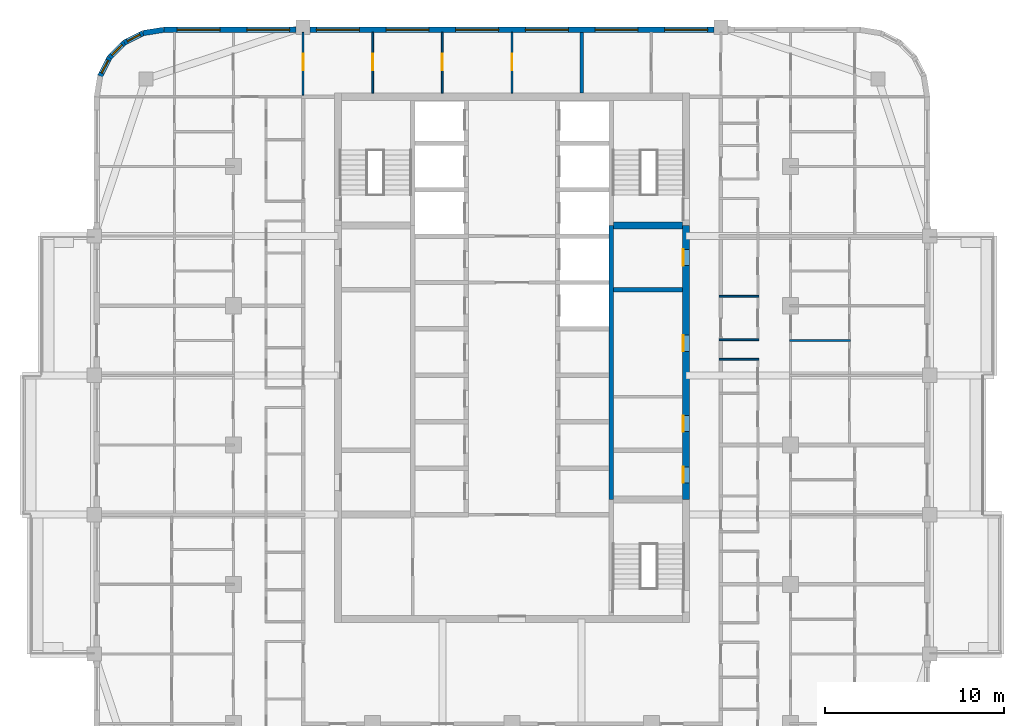
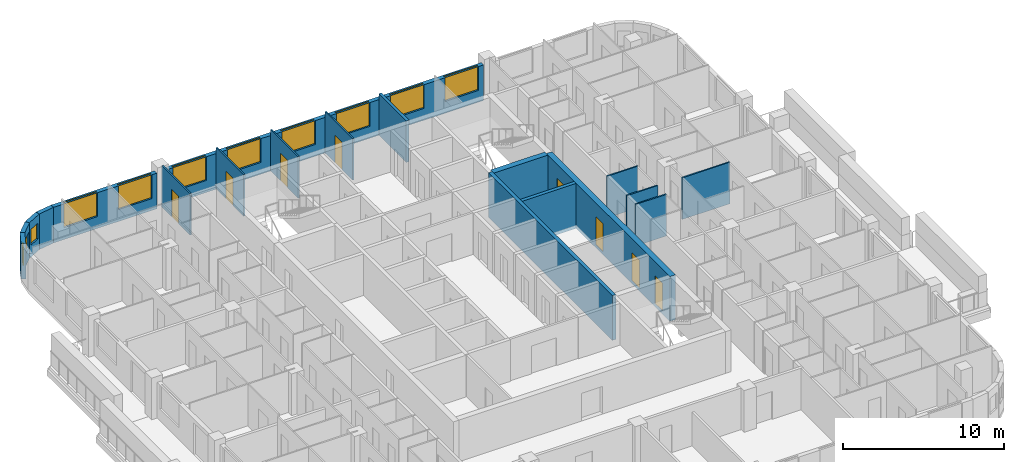
# One storey, part 10 of 17: 19 walls, 11 windows, 8 doors, 19 openings.
"""IFC4 building model written with IfcOpenShell, lengths in metres."""

from ifc_helpers import new_model, si_unit, direction, frame, frame_2d, origin, place, context, subcontext, project, spatial, rectangle, extrude, material, layer, layer_set, type_object, element, fill, save


model = new_model("IFC4")

# Units and contexts
model_context = context("Model", 3, precision=1e-05, world=origin(), true_north=direction((0.0, 1.0)))
body_context = subcontext(model_context, "Body", "Model", "MODEL_VIEW")
ifc_project = project(units=[si_unit("LENGTHUNIT", "METRE"), si_unit("AREAUNIT", "SQUARE_METRE"), si_unit("VOLUMEUNIT", "CUBIC_METRE"), si_unit("PLANEANGLEUNIT", "RADIAN"), si_unit("MASSUNIT", "GRAM", prefix="KILO")], contexts=[model_context])

# Site, building, storey
site_placement = place(None, origin())
site = spatial("IfcSite", under=ifc_project, at=site_placement, CompositionType="ELEMENT")
building_placement = place(site_placement, origin())
building = spatial("IfcBuilding", under=site, at=building_placement, Name="Ludao Terraces", CompositionType="ELEMENT")
storey_placement = place(building_placement, frame((0.0, 0.0, 221.10009765625)))
storey = spatial("IfcBuildingStorey", under=building, at=storey_placement, Name="L60", CompositionType="ELEMENT", Elevation=221.10009765625)

# Wall, openings, doors
ifc_material_1 = material(Name="Concrete C50", Category="concrete")
ifc_layer_1 = layer(ifc_material_1, 0.39990234375)
ifc_layer_set_1 = layer_set([ifc_layer_1], Name="Core wall 400 C50")
wall_type_1 = type_object("IfcWallType", Name="Core wall 400 C50", PredefinedType="SOLIDWALL", material=ifc_layer_set_1)
wall_1_placement = place(storey_placement, frame((94.75, 61.949951171875, -0.25), z_axis=(0.0, 0.0, 1.0), x_axis=(0.0, 1.0, 0.0)))
wall_1 = element("IfcWall", 1, at=wall_1_placement, inside=storey, type_object=wall_type_1, Name="Core wall L60 outer-E", PredefinedType="SOLIDWALL", context=body_context, shape_type="SweptSolid", body=[
    extrude(rectangle(XDim=15.35009765625, YDim=0.39990234375, at=frame_2d((7.675048828125, 0.0))), origin(), (0.0, 0.0, 1.0), 3.39990234375),
])
opening_1_placement = place(wall_1_placement, frame((0.925048828125, 0.0, 0.25)))
opening_1 = element("IfcOpeningElement", 2, at=opening_1_placement, cuts=wall_1, Name="Opening R21-059", PredefinedType="OPENING", context=body_context, shape_type="SweptSolid", body=[
    extrude(rectangle(XDim=0.89990234375, YDim=2.10009765625, at=frame_2d((0.449951171875, 1.050048828125))), frame((0.0, 0.2099609375, 0.0), z_axis=(0.0, -1.0, 0.0), x_axis=(1.0, 0.0, 0.0)), (0.0, 0.0, 1.0), 0.419921875),
])
opening_2_placement = place(wall_1_placement, frame((3.800048828125, 0.0, 0.25)))
opening_2 = element("IfcOpeningElement", 3, at=opening_2_placement, cuts=wall_1, Name="Opening R21-066", PredefinedType="OPENING", context=body_context, shape_type="SweptSolid", body=[
    extrude(rectangle(XDim=0.89990234375, YDim=2.10009765625, at=frame_2d((0.449951171875, 1.050048828125))), frame((0.0, 0.2099609375, 0.0), z_axis=(0.0, -1.0, 0.0), x_axis=(1.0, 0.0, 0.0)), (0.0, 0.0, 1.0), 0.419921875),
])
opening_3_placement = place(wall_1_placement, frame((8.300048828125, 0.0, 0.25)))
opening_3 = element("IfcOpeningElement", 4, at=opening_3_placement, cuts=wall_1, Name="Opening R21-082", PredefinedType="OPENING", context=body_context, shape_type="SweptSolid", body=[
    extrude(rectangle(XDim=0.89990234375, YDim=2.10009765625, at=frame_2d((0.449951171875, 1.050048828125))), frame((0.0, 0.2099609375, 0.0), z_axis=(0.0, -1.0, 0.0), x_axis=(1.0, 0.0, 0.0)), (0.0, 0.0, 1.0), 0.419921875),
])
opening_4_placement = place(wall_1_placement, frame((13.10009765625, 0.0, 0.25)))
opening_4 = element("IfcOpeningElement", 5, at=opening_4_placement, cuts=wall_1, Name="Opening R21-100", PredefinedType="OPENING", context=body_context, shape_type="SweptSolid", body=[
    extrude(rectangle(XDim=0.89990234375, YDim=2.10009765625, at=frame_2d((0.449951171875, 1.050048828125))), frame((0.0, 0.2099609375, 0.0), z_axis=(0.0, -1.0, 0.0), x_axis=(1.0, 0.0, 0.0)), (0.0, 0.0, 1.0), 0.419921875),
])
ifc_material_2 = material(Name="Steel Q235", Category="steel")
door_type_1 = type_object("IfcDoorType", Name="INT Riser door 900", OperationType="SINGLE_SWING_LEFT", PredefinedType="DOOR", material=ifc_material_2)
door_1_placement = place(opening_1_placement, origin())
door_1 = element("IfcDoor", 6, at=door_1_placement, inside=storey, type_object=door_type_1, Name="DOOR 059", OperationType="SINGLE_SWING_LEFT", OverallHeight=2.10009765625, OverallWidth=0.89990234375, PredefinedType="DOOR", context=body_context, shape_type="SweptSolid", body=[
    extrude(rectangle(XDim=0.89990234375, YDim=2.10009765625, at=frame_2d((0.449951171875, 1.050048828125))), frame((0.0, 0.18505859375, 0.0), z_axis=(0.0, -1.0, 0.0), x_axis=(1.0, 0.0, 0.0)), (0.0, 0.0, 1.0), 0.050048828125),
])
fill(opening_1, door_1)
door_2_placement = place(opening_4_placement, origin())
door_2 = element("IfcDoor", 7, at=door_2_placement, inside=storey, type_object=door_type_1, Name="DOOR 100", OperationType="SINGLE_SWING_RIGHT", OverallHeight=2.10009765625, OverallWidth=0.89990234375, PredefinedType="DOOR", context=body_context, shape_type="SweptSolid", body=[
    extrude(rectangle(XDim=0.89990234375, YDim=2.10009765625, at=frame_2d((0.449951171875, 1.050048828125))), frame((0.0, 0.18505859375, 0.0), z_axis=(0.0, -1.0, 0.0), x_axis=(1.0, 0.0, 0.0)), (0.0, 0.0, 1.0), 0.050048828125),
])
fill(opening_4, door_2)
ifc_material_3 = material(Name="Timber door leaf", Category="wood")
door_type_2 = type_object("IfcDoorType", Name="INT Room door 900", OperationType="SINGLE_SWING_LEFT", PredefinedType="DOOR", material=ifc_material_3)
door_3_placement = place(opening_2_placement, origin())
door_3 = element("IfcDoor", 8, at=door_3_placement, inside=storey, type_object=door_type_2, Name="DOOR 066", OperationType="SINGLE_SWING_LEFT", OverallHeight=2.10009765625, OverallWidth=0.89990234375, PredefinedType="DOOR", context=body_context, shape_type="SweptSolid", body=[
    extrude(rectangle(XDim=0.89990234375, YDim=2.10009765625, at=frame_2d((0.449951171875, 1.050048828125))), frame((0.0, 0.18505859375, 0.0), z_axis=(0.0, -1.0, 0.0), x_axis=(1.0, 0.0, 0.0)), (0.0, 0.0, 1.0), 0.050048828125),
])
fill(opening_2, door_3)
door_4_placement = place(opening_3_placement, origin())
door_4 = element("IfcDoor", 9, at=door_4_placement, inside=storey, type_object=door_type_2, Name="DOOR 082", OperationType="SINGLE_SWING_RIGHT", OverallHeight=2.10009765625, OverallWidth=0.89990234375, PredefinedType="DOOR", context=body_context, shape_type="SweptSolid", body=[
    extrude(rectangle(XDim=0.89990234375, YDim=2.10009765625, at=frame_2d((0.449951171875, 1.050048828125))), frame((0.0, 0.18505859375, 0.0), z_axis=(0.0, -1.0, 0.0), x_axis=(1.0, 0.0, 0.0)), (0.0, 0.0, 1.0), 0.050048828125),
])
fill(opening_3, door_4)

# Wall, openings, windows
ifc_material_4 = material(Name="Granite cladding", Category="masonry")
ifc_layer_2 = layer(ifc_material_4, 0.0400390625, Category="stone")
ifc_material_5 = material(Name="Mineral wool")
ifc_layer_3 = layer(ifc_material_5, 0.06005859375)
ifc_material_6 = material(Name="Concrete C40", Category="concrete")
ifc_layer_4 = layer(ifc_material_6, 0.199951171875, Category="concrete")
ifc_layer_set_2 = layer_set([ifc_layer_2, ifc_layer_3, ifc_layer_4], Name="ENV Stone-clad wall 300")
wall_type_2 = type_object("IfcWallType", Name="ENV Stone-clad wall 300", PredefinedType="SOLIDWALL", material=ifc_layer_set_2)
wall_2_placement = place(storey_placement, frame((65.5, 88.25, 0.0), z_axis=(0.0, 0.0, 1.0), x_axis=(1.0, 0.0, 0.0)))
wall_2 = element("IfcWall", 10, at=wall_2_placement, inside=storey, type_object=wall_type_2, Name="EW-L60-N1", PredefinedType="SOLIDWALL", context=body_context, shape_type="SweptSolid", body=[
    extrude(rectangle(XDim=7.39990234375, YDim=0.300048828125, at=frame_2d((3.699951171875, 0.0))), origin(), (0.0, 0.0, 1.0), 2.699951171875),
])
opening_5_placement = place(wall_2_placement, frame((0.75, 0.0, 0.89990234375)))
opening_5 = element("IfcOpeningElement", 11, at=opening_5_placement, cuts=wall_2, Name="Opening W1", PredefinedType="OPENING", context=body_context, shape_type="SweptSolid", body=[
    extrude(rectangle(XDim=2.39990234375, YDim=1.800048828125, at=frame_2d((1.199951171875, 0.89990234375))), frame((0.0, 0.16015625, 0.0), z_axis=(0.0, -1.0, 0.0), x_axis=(1.0, 0.0, 0.0)), (0.0, 0.0, 1.0), 0.320068359375),
])
opening_6_placement = place(wall_2_placement, frame((4.64990234375, 0.0, 0.89990234375)))
opening_6 = element("IfcOpeningElement", 12, at=opening_6_placement, cuts=wall_2, Name="Opening W1", PredefinedType="OPENING", context=body_context, shape_type="SweptSolid", body=[
    extrude(rectangle(XDim=2.39990234375, YDim=1.800048828125, at=frame_2d((1.199951171875, 0.89990234375))), frame((0.0, 0.16015625, 0.0), z_axis=(0.0, -1.0, 0.0), x_axis=(1.0, 0.0, 0.0)), (0.0, 0.0, 1.0), 0.320068359375),
])
ifc_material_7 = material(Name="Clear glass in aluminium frame", Category="aluminium")
ifc_layer_5 = layer(ifc_material_7, 0.06005859375)
ifc_layer_set_3 = layer_set([ifc_layer_5], Name="ENV Window W1 2400x1800")
window_type_1 = type_object("IfcWindowType", Name="ENV Window W1 2400x1800", PartitioningType="DOUBLE_PANEL_VERTICAL", PredefinedType="WINDOW", material=ifc_layer_set_3)
window_1_placement = place(opening_5_placement, origin())
window_1 = element("IfcWindow", 13, at=window_1_placement, inside=storey, type_object=window_type_1, Name="W-L60-N1-1", OverallHeight=1.800048828125, OverallWidth=2.39990234375, PartitioningType="DOUBLE_PANEL_VERTICAL", PredefinedType="WINDOW", context=body_context, shape_type="SweptSolid", body=[
    extrude(rectangle(XDim=2.39990234375, YDim=1.800048828125, at=frame_2d((1.199951171875, 0.89990234375))), frame((0.0, 0.030029296875, 0.0), z_axis=(0.0, -1.0, 0.0), x_axis=(1.0, 0.0, 0.0)), (0.0, 0.0, 1.0), 0.06005859375),
])
fill(opening_5, window_1)
window_2_placement = place(opening_6_placement, origin())
window_2 = element("IfcWindow", 14, at=window_2_placement, inside=storey, type_object=window_type_1, Name="W-L60-N1-2", OverallHeight=1.800048828125, OverallWidth=2.39990234375, PartitioningType="DOUBLE_PANEL_VERTICAL", PredefinedType="WINDOW", context=body_context, shape_type="SweptSolid", body=[
    extrude(rectangle(XDim=2.39990234375, YDim=1.800048828125, at=frame_2d((1.199951171875, 0.89990234375))), frame((0.0, 0.030029296875, 0.0), z_axis=(0.0, -1.0, 0.0), x_axis=(1.0, 0.0, 0.0)), (0.0, 0.0, 1.0), 0.06005859375),
])
fill(opening_6, window_2)

wall_3_placement = place(storey_placement, frame((73.699951171875, 88.25, 0.0), z_axis=(0.0, 0.0, 1.0), x_axis=(1.0, 0.0, 0.0)))
wall_3 = element("IfcWall", 15, at=wall_3_placement, inside=storey, type_object=wall_type_2, Name="EW-L60-N2", PredefinedType="SOLIDWALL", context=body_context, shape_type="SweptSolid", body=[
    extrude(rectangle(XDim=22.60009765625, YDim=0.300048828125, at=frame_2d((11.300048828125, 0.0))), origin(), (0.0, 0.0, 1.0), 2.699951171875),
])
opening_7_placement = place(wall_3_placement, frame((0.35009765625, 0.0, 0.89990234375)))
opening_7 = element("IfcOpeningElement", 16, at=opening_7_placement, cuts=wall_3, Name="Opening W1", PredefinedType="OPENING", context=body_context, shape_type="SweptSolid", body=[
    extrude(rectangle(XDim=2.39990234375, YDim=1.800048828125, at=frame_2d((1.199951171875, 0.89990234375))), frame((0.0, 0.16015625, 0.0), z_axis=(0.0, -1.0, 0.0), x_axis=(1.0, 0.0, 0.0)), (0.0, 0.0, 1.0), 0.320068359375),
])
opening_8_placement = place(wall_3_placement, frame((4.25, 0.0, 0.89990234375)))
opening_8 = element("IfcOpeningElement", 17, at=opening_8_placement, cuts=wall_3, Name="Opening W1", PredefinedType="OPENING", context=body_context, shape_type="SweptSolid", body=[
    extrude(rectangle(XDim=2.39990234375, YDim=1.800048828125, at=frame_2d((1.199951171875, 0.89990234375))), frame((0.0, 0.16015625, 0.0), z_axis=(0.0, -1.0, 0.0), x_axis=(1.0, 0.0, 0.0)), (0.0, 0.0, 1.0), 0.320068359375),
])
opening_9_placement = place(wall_3_placement, frame((8.14990234375, 0.0, 0.89990234375)))
opening_9 = element("IfcOpeningElement", 18, at=opening_9_placement, cuts=wall_3, Name="Opening W1", PredefinedType="OPENING", context=body_context, shape_type="SweptSolid", body=[
    extrude(rectangle(XDim=2.39990234375, YDim=1.800048828125, at=frame_2d((1.199951171875, 0.89990234375))), frame((0.0, 0.16015625, 0.0), z_axis=(0.0, -1.0, 0.0), x_axis=(1.0, 0.0, 0.0)), (0.0, 0.0, 1.0), 0.320068359375),
])
opening_10_placement = place(wall_3_placement, frame((12.050048828125, 0.0, 0.89990234375)))
opening_10 = element("IfcOpeningElement", 19, at=opening_10_placement, cuts=wall_3, Name="Opening W1", PredefinedType="OPENING", context=body_context, shape_type="SweptSolid", body=[
    extrude(rectangle(XDim=2.39990234375, YDim=1.800048828125, at=frame_2d((1.199951171875, 0.89990234375))), frame((0.0, 0.16015625, 0.0), z_axis=(0.0, -1.0, 0.0), x_axis=(1.0, 0.0, 0.0)), (0.0, 0.0, 1.0), 0.320068359375),
])
opening_11_placement = place(wall_3_placement, frame((15.949951171875, 0.0, 0.89990234375)))
opening_11 = element("IfcOpeningElement", 20, at=opening_11_placement, cuts=wall_3, Name="Opening W1", PredefinedType="OPENING", context=body_context, shape_type="SweptSolid", body=[
    extrude(rectangle(XDim=2.39990234375, YDim=1.800048828125, at=frame_2d((1.199951171875, 0.89990234375))), frame((0.0, 0.16015625, 0.0), z_axis=(0.0, -1.0, 0.0), x_axis=(1.0, 0.0, 0.0)), (0.0, 0.0, 1.0), 0.320068359375),
])
opening_12_placement = place(wall_3_placement, frame((19.85009765625, 0.0, 0.89990234375)))
opening_12 = element("IfcOpeningElement", 21, at=opening_12_placement, cuts=wall_3, Name="Opening W1", PredefinedType="OPENING", context=body_context, shape_type="SweptSolid", body=[
    extrude(rectangle(XDim=2.39990234375, YDim=1.800048828125, at=frame_2d((1.199951171875, 0.89990234375))), frame((0.0, 0.16015625, 0.0), z_axis=(0.0, -1.0, 0.0), x_axis=(1.0, 0.0, 0.0)), (0.0, 0.0, 1.0), 0.320068359375),
])
window_3_placement = place(opening_7_placement, origin())
window_3 = element("IfcWindow", 22, at=window_3_placement, inside=storey, type_object=window_type_1, Name="W-L60-N2-1", OverallHeight=1.800048828125, OverallWidth=2.39990234375, PartitioningType="DOUBLE_PANEL_VERTICAL", PredefinedType="WINDOW", context=body_context, shape_type="SweptSolid", body=[
    extrude(rectangle(XDim=2.39990234375, YDim=1.800048828125, at=frame_2d((1.199951171875, 0.89990234375))), frame((0.0, 0.030029296875, 0.0), z_axis=(0.0, -1.0, 0.0), x_axis=(1.0, 0.0, 0.0)), (0.0, 0.0, 1.0), 0.06005859375),
])
fill(opening_7, window_3)
window_4_placement = place(opening_8_placement, origin())
window_4 = element("IfcWindow", 23, at=window_4_placement, inside=storey, type_object=window_type_1, Name="W-L60-N2-2", OverallHeight=1.800048828125, OverallWidth=2.39990234375, PartitioningType="DOUBLE_PANEL_VERTICAL", PredefinedType="WINDOW", context=body_context, shape_type="SweptSolid", body=[
    extrude(rectangle(XDim=2.39990234375, YDim=1.800048828125, at=frame_2d((1.199951171875, 0.89990234375))), frame((0.0, 0.030029296875, 0.0), z_axis=(0.0, -1.0, 0.0), x_axis=(1.0, 0.0, 0.0)), (0.0, 0.0, 1.0), 0.06005859375),
])
fill(opening_8, window_4)
window_5_placement = place(opening_9_placement, origin())
window_5 = element("IfcWindow", 24, at=window_5_placement, inside=storey, type_object=window_type_1, Name="W-L60-N2-3", OverallHeight=1.800048828125, OverallWidth=2.39990234375, PartitioningType="DOUBLE_PANEL_VERTICAL", PredefinedType="WINDOW", context=body_context, shape_type="SweptSolid", body=[
    extrude(rectangle(XDim=2.39990234375, YDim=1.800048828125, at=frame_2d((1.199951171875, 0.89990234375))), frame((0.0, 0.030029296875, 0.0), z_axis=(0.0, -1.0, 0.0), x_axis=(1.0, 0.0, 0.0)), (0.0, 0.0, 1.0), 0.06005859375),
])
fill(opening_9, window_5)
window_6_placement = place(opening_10_placement, origin())
window_6 = element("IfcWindow", 25, at=window_6_placement, inside=storey, type_object=window_type_1, Name="W-L60-N2-4", OverallHeight=1.800048828125, OverallWidth=2.39990234375, PartitioningType="DOUBLE_PANEL_VERTICAL", PredefinedType="WINDOW", context=body_context, shape_type="SweptSolid", body=[
    extrude(rectangle(XDim=2.39990234375, YDim=1.800048828125, at=frame_2d((1.199951171875, 0.89990234375))), frame((0.0, 0.030029296875, 0.0), z_axis=(0.0, -1.0, 0.0), x_axis=(1.0, 0.0, 0.0)), (0.0, 0.0, 1.0), 0.06005859375),
])
fill(opening_10, window_6)
window_7_placement = place(opening_11_placement, origin())
window_7 = element("IfcWindow", 26, at=window_7_placement, inside=storey, type_object=window_type_1, Name="W-L60-N2-5", OverallHeight=1.800048828125, OverallWidth=2.39990234375, PartitioningType="DOUBLE_PANEL_VERTICAL", PredefinedType="WINDOW", context=body_context, shape_type="SweptSolid", body=[
    extrude(rectangle(XDim=2.39990234375, YDim=1.800048828125, at=frame_2d((1.199951171875, 0.89990234375))), frame((0.0, 0.030029296875, 0.0), z_axis=(0.0, -1.0, 0.0), x_axis=(1.0, 0.0, 0.0)), (0.0, 0.0, 1.0), 0.06005859375),
])
fill(opening_11, window_7)
window_8_placement = place(opening_12_placement, origin())
window_8 = element("IfcWindow", 27, at=window_8_placement, inside=storey, type_object=window_type_1, Name="W-L60-N2-6", OverallHeight=1.800048828125, OverallWidth=2.39990234375, PartitioningType="DOUBLE_PANEL_VERTICAL", PredefinedType="WINDOW", context=body_context, shape_type="SweptSolid", body=[
    extrude(rectangle(XDim=2.39990234375, YDim=1.800048828125, at=frame_2d((1.199951171875, 0.89990234375))), frame((0.0, 0.030029296875, 0.0), z_axis=(0.0, -1.0, 0.0), x_axis=(1.0, 0.0, 0.0)), (0.0, 0.0, 1.0), 0.06005859375),
])
fill(opening_12, window_8)

# Wall
wall_4_placement = place(storey_placement, frame((65.5, 88.25, 0.0), z_axis=(0.0, 0.0, 1.0), x_axis=(-0.987678452879, -0.156496880861, 0.0)))
element("IfcWall", 28, at=wall_4_placement, inside=storey, type_object=wall_type_2, Name="EW-L60-NW1", PredefinedType="SOLIDWALL", context=body_context, shape_type="SweptSolid", body=[
    extrude(rectangle(XDim=1.173095703125, YDim=0.300048828125, at=frame_2d((0.58642578125, 0.0))), origin(), (0.0, 0.0, 1.0), 2.699951171875),
])

# Wall, opening, window
wall_5_placement = place(storey_placement, frame((64.34130859375, 88.06640625, 0.0), z_axis=(0.0, 0.0, 1.0), x_axis=(-0.890988677504, -0.454025524128, 0.0)))
wall_5 = element("IfcWall", 29, at=wall_5_placement, inside=storey, type_object=wall_type_2, Name="EW-L60-NW2", PredefinedType="SOLIDWALL", context=body_context, shape_type="SweptSolid", body=[
    extrude(rectangle(XDim=1.17333984375, YDim=0.300048828125, at=frame_2d((0.586669921875, 0.0))), origin(), (0.0, 0.0, 1.0), 2.699951171875),
])
opening_13_placement = place(wall_5_placement, frame((0.1865234375, 0.0, 0.89990234375)))
opening_13 = element("IfcOpeningElement", 30, at=opening_13_placement, cuts=wall_5, Name="Opening W3", PredefinedType="OPENING", context=body_context, shape_type="SweptSolid", body=[
    extrude(rectangle(XDim=0.800048828125, YDim=1.199951171875, at=frame_2d((0.39990234375, 0.60009765625))), frame((0.0, 0.16015625, 0.0), z_axis=(0.0, -1.0, 0.0), x_axis=(1.0, 0.0, 0.0)), (0.0, 0.0, 1.0), 0.320068359375),
])
ifc_layer_6 = layer(ifc_material_7, 0.06005859375)
ifc_layer_set_4 = layer_set([ifc_layer_6], Name="ENV Window W3 800x1200")
window_type_2 = type_object("IfcWindowType", Name="ENV Window W3 800x1200", PartitioningType="SINGLE_PANEL", PredefinedType="WINDOW", material=ifc_layer_set_4)
window_9_placement = place(opening_13_placement, origin())
window_9 = element("IfcWindow", 31, at=window_9_placement, inside=storey, type_object=window_type_2, Name="W-L60-NW2", OverallHeight=1.199951171875, OverallWidth=0.800048828125, PartitioningType="SINGLE_PANEL", PredefinedType="WINDOW", context=body_context, shape_type="SweptSolid", body=[
    extrude(rectangle(XDim=0.800048828125, YDim=1.199951171875, at=frame_2d((0.39990234375, 0.60009765625))), frame((0.0, 0.030029296875, 0.0), z_axis=(0.0, -1.0, 0.0), x_axis=(1.0, 0.0, 0.0)), (0.0, 0.0, 1.0), 0.06005859375),
])
fill(opening_13, window_9)

wall_6_placement = place(storey_placement, frame((63.2958984375, 87.53369140625, 0.0), z_axis=(0.0, 0.0, 1.0), x_axis=(-0.707106781187, -0.707106781187, 0.0)))
wall_6 = element("IfcWall", 32, at=wall_6_placement, inside=storey, type_object=wall_type_2, Name="EW-L60-NW3", PredefinedType="SOLIDWALL", context=body_context, shape_type="SweptSolid", body=[
    extrude(rectangle(XDim=1.173095703125, YDim=0.300048828125, at=frame_2d((0.58642578125, 0.0))), origin(), (0.0, 0.0, 1.0), 2.699951171875),
])
opening_14_placement = place(wall_6_placement, frame((0.1865234375, 0.0, 0.89990234375)))
opening_14 = element("IfcOpeningElement", 33, at=opening_14_placement, cuts=wall_6, Name="Opening W3", PredefinedType="OPENING", context=body_context, shape_type="SweptSolid", body=[
    extrude(rectangle(XDim=0.800048828125, YDim=1.199951171875, at=frame_2d((0.39990234375, 0.60009765625))), frame((0.0, 0.16015625, 0.0), z_axis=(0.0, -1.0, 0.0), x_axis=(1.0, 0.0, 0.0)), (0.0, 0.0, 1.0), 0.320068359375),
])
window_10_placement = place(opening_14_placement, origin())
window_10 = element("IfcWindow", 34, at=window_10_placement, inside=storey, type_object=window_type_2, Name="W-L60-NW3", OverallHeight=1.199951171875, OverallWidth=0.800048828125, PartitioningType="SINGLE_PANEL", PredefinedType="WINDOW", context=body_context, shape_type="SweptSolid", body=[
    extrude(rectangle(XDim=0.800048828125, YDim=1.199951171875, at=frame_2d((0.39990234375, 0.60009765625))), frame((0.0, 0.030029296875, 0.0), z_axis=(0.0, -1.0, 0.0), x_axis=(1.0, 0.0, 0.0)), (0.0, 0.0, 1.0), 0.06005859375),
])
fill(opening_14, window_10)

wall_7_placement = place(storey_placement, frame((62.46630859375, 86.7041015625, 0.0), z_axis=(0.0, 0.0, 1.0), x_axis=(-0.454025524128, -0.890988677504, 0.0)))
wall_7 = element("IfcWall", 35, at=wall_7_placement, inside=storey, type_object=wall_type_2, Name="EW-L60-NW4", PredefinedType="SOLIDWALL", context=body_context, shape_type="SweptSolid", body=[
    extrude(rectangle(XDim=1.17333984375, YDim=0.300048828125, at=frame_2d((0.586669921875, 0.0))), origin(), (0.0, 0.0, 1.0), 2.699951171875),
])
opening_15_placement = place(wall_7_placement, frame((0.1865234375, 0.0, 0.89990234375)))
opening_15 = element("IfcOpeningElement", 36, at=opening_15_placement, cuts=wall_7, Name="Opening W3", PredefinedType="OPENING", context=body_context, shape_type="SweptSolid", body=[
    extrude(rectangle(XDim=0.800048828125, YDim=1.199951171875, at=frame_2d((0.39990234375, 0.60009765625))), frame((0.0, 0.16015625, 0.0), z_axis=(0.0, -1.0, 0.0), x_axis=(1.0, 0.0, 0.0)), (0.0, 0.0, 1.0), 0.320068359375),
])
window_11_placement = place(opening_15_placement, origin())
window_11 = element("IfcWindow", 37, at=window_11_placement, inside=storey, type_object=window_type_2, Name="W-L60-NW4", OverallHeight=1.199951171875, OverallWidth=0.800048828125, PartitioningType="SINGLE_PANEL", PredefinedType="WINDOW", context=body_context, shape_type="SweptSolid", body=[
    extrude(rectangle(XDim=0.800048828125, YDim=1.199951171875, at=frame_2d((0.39990234375, 0.60009765625))), frame((0.0, 0.030029296875, 0.0), z_axis=(0.0, -1.0, 0.0), x_axis=(1.0, 0.0, 0.0)), (0.0, 0.0, 1.0), 0.06005859375),
])
fill(opening_15, window_11)

# Walls
ifc_material_8 = material(Name="Gypsum plasterboard", Category="gypsum")
ifc_layer_7 = layer(ifc_material_8, 0.012451171875, Category="gypsum")
ifc_layer_8 = layer(ifc_material_5, 0.06005859375, Name="insulation")
ifc_layer_9 = layer(ifc_material_2, 0.014892578125, Name="stud")
ifc_layer_10 = layer(ifc_material_8, 0.012451171875, Category="gypsum")
ifc_layer_set_5 = layer_set([ifc_layer_7, ifc_layer_8, ifc_layer_9, ifc_layer_10], Name="INT Partition 100")
wall_type_3 = type_object("IfcWallType", Name="INT Partition 100", PredefinedType="PARTITIONING", material=ifc_layer_set_5)
wall_8_placement = place(storey_placement, frame((96.60009765625, 69.800048828125, 0.0), z_axis=(0.0, 0.0, 1.0), x_axis=(1.0, 0.0, 0.0)))
element("IfcWall", 38, at=wall_8_placement, inside=storey, type_object=wall_type_3, Name="PW-L60-PW040", PredefinedType="PARTITIONING", context=body_context, shape_type="SweptSolid", body=[
    extrude(rectangle(XDim=2.219970703125, YDim=0.10009765625, at=frame_2d((1.10986328125, 0.0))), origin(), (0.0, 0.0, 1.0), 3.14990234375),
])
wall_9_placement = place(storey_placement, frame((100.550048828125, 70.85009765625, 0.0), z_axis=(0.0, 0.0, 1.0), x_axis=(1.0, 0.0, 0.0)))
element("IfcWall", 39, at=wall_9_placement, inside=storey, type_object=wall_type_3, Name="PW-L60-PW043", PredefinedType="PARTITIONING", context=body_context, shape_type="SweptSolid", body=[
    extrude(rectangle(XDim=3.400146484375, YDim=0.10009765625, at=frame_2d((1.7001953125, 0.0))), origin(), (0.0, 0.0, 1.0), 3.14990234375),
])
for number, where, z_axis, x_axis, name in (
    (40, (96.60009765625, 70.89990234375, 0.0), (0.0, 0.0, 1.0), (1.0, 0.0, 0.0), "PW-L60-PW044"),
    (41, (96.60009765625, 73.330078125, 0.0), (0.0, 0.0, 1.0), (1.0, 0.0, 0.0), "PW-L60-PW047"),
):
    element("IfcWall", number, at=place(storey_placement, frame(where, z_axis=z_axis, x_axis=x_axis)), inside=storey, type_object=wall_type_3, Name=name, PredefinedType="PARTITIONING", context=body_context, shape_type="SweptSolid", body=[
        extrude(rectangle(XDim=2.219970703125, YDim=0.10009765625, at=frame_2d((1.10986328125, 0.0))), origin(), (0.0, 0.0, 1.0), 3.14990234375),
    ])

# Wall, opening, door
wall_10_placement = place(storey_placement, frame((73.300048828125, 84.60009765625, 0.0), z_axis=(0.0, 0.0, 1.0), x_axis=(0.0, 1.0, 0.0)))
wall_10 = element("IfcWall", 42, at=wall_10_placement, inside=storey, type_object=wall_type_3, Name="PW-L60-PW079", PredefinedType="PARTITIONING", context=body_context, shape_type="SweptSolid", body=[
    extrude(rectangle(XDim=3.5, YDim=0.10009765625, at=frame_2d((1.75, 0.0))), origin(), (0.0, 0.0, 1.0), 3.14990234375),
])
opening_16_placement = place(wall_10_placement, frame((1.39990234375, 0.0, 0.0)))
opening_16 = element("IfcOpeningElement", 43, at=opening_16_placement, cuts=wall_10, Name="Opening R21-137", PredefinedType="OPENING", context=body_context, shape_type="SweptSolid", body=[
    extrude(rectangle(XDim=0.89990234375, YDim=2.10009765625, at=frame_2d((0.449951171875, 1.050048828125))), frame((0.0, 0.06005859375, 0.0), z_axis=(0.0, -1.0, 0.0), x_axis=(1.0, 0.0, 0.0)), (0.0, 0.0, 1.0), 0.1201171875),
])
door_5_placement = place(opening_16_placement, origin())
door_5 = element("IfcDoor", 44, at=door_5_placement, inside=storey, type_object=door_type_2, Name="DOOR 137", OperationType="SINGLE_SWING_LEFT", OverallHeight=2.10009765625, OverallWidth=0.89990234375, PredefinedType="DOOR", context=body_context, shape_type="SweptSolid", body=[
    extrude(rectangle(XDim=0.89990234375, YDim=2.10009765625, at=frame_2d((0.449951171875, 1.050048828125))), frame((0.0, 0.02490234375, 0.0), z_axis=(0.0, -1.0, 0.0), x_axis=(1.0, 0.0, 0.0)), (0.0, 0.0, 1.0), 0.050048828125),
])
fill(opening_16, door_5)

wall_11_placement = place(storey_placement, frame((77.199951171875, 84.7001953125, 0.0), z_axis=(0.0, 0.0, 1.0), x_axis=(0.0, 1.0, 0.0)))
wall_11 = element("IfcWall", 45, at=wall_11_placement, inside=storey, type_object=wall_type_3, Name="PW-L60-PW081", PredefinedType="PARTITIONING", context=body_context, shape_type="SweptSolid", body=[
    extrude(rectangle(XDim=3.39990234375, YDim=0.10009765625, at=frame_2d((1.699951171875, 0.0))), origin(), (0.0, 0.0, 1.0), 3.14990234375),
])
opening_17_placement = place(wall_11_placement, frame((1.2998046875, 0.0, 0.0)))
opening_17 = element("IfcOpeningElement", 46, at=opening_17_placement, cuts=wall_11, Name="Opening R21-138", PredefinedType="OPENING", context=body_context, shape_type="SweptSolid", body=[
    extrude(rectangle(XDim=0.89990234375, YDim=2.10009765625, at=frame_2d((0.449951171875, 1.050048828125))), frame((0.0, 0.06005859375, 0.0), z_axis=(0.0, -1.0, 0.0), x_axis=(1.0, 0.0, 0.0)), (0.0, 0.0, 1.0), 0.1201171875),
])
door_6_placement = place(opening_17_placement, origin())
door_6 = element("IfcDoor", 47, at=door_6_placement, inside=storey, type_object=door_type_2, Name="DOOR 138", OperationType="SINGLE_SWING_LEFT", OverallHeight=2.10009765625, OverallWidth=0.89990234375, PredefinedType="DOOR", context=body_context, shape_type="SweptSolid", body=[
    extrude(rectangle(XDim=0.89990234375, YDim=2.10009765625, at=frame_2d((0.449951171875, 1.050048828125))), frame((0.0, 0.02490234375, 0.0), z_axis=(0.0, -1.0, 0.0), x_axis=(1.0, 0.0, 0.0)), (0.0, 0.0, 1.0), 0.050048828125),
])
fill(opening_17, door_6)

wall_12_placement = place(storey_placement, frame((81.10009765625, 84.7001953125, 0.0), z_axis=(0.0, 0.0, 1.0), x_axis=(0.0, 1.0, 0.0)))
wall_12 = element("IfcWall", 48, at=wall_12_placement, inside=storey, type_object=wall_type_3, Name="PW-L60-PW083", PredefinedType="PARTITIONING", context=body_context, shape_type="SweptSolid", body=[
    extrude(rectangle(XDim=3.39990234375, YDim=0.10009765625, at=frame_2d((1.699951171875, 0.0))), origin(), (0.0, 0.0, 1.0), 3.14990234375),
])
opening_18_placement = place(wall_12_placement, frame((1.2998046875, 0.0, 0.0)))
opening_18 = element("IfcOpeningElement", 49, at=opening_18_placement, cuts=wall_12, Name="Opening R21-139", PredefinedType="OPENING", context=body_context, shape_type="SweptSolid", body=[
    extrude(rectangle(XDim=0.89990234375, YDim=2.10009765625, at=frame_2d((0.449951171875, 1.050048828125))), frame((0.0, 0.06005859375, 0.0), z_axis=(0.0, -1.0, 0.0), x_axis=(1.0, 0.0, 0.0)), (0.0, 0.0, 1.0), 0.1201171875),
])
door_7_placement = place(opening_18_placement, origin())
door_7 = element("IfcDoor", 50, at=door_7_placement, inside=storey, type_object=door_type_2, Name="DOOR 139", OperationType="SINGLE_SWING_LEFT", OverallHeight=2.10009765625, OverallWidth=0.89990234375, PredefinedType="DOOR", context=body_context, shape_type="SweptSolid", body=[
    extrude(rectangle(XDim=0.89990234375, YDim=2.10009765625, at=frame_2d((0.449951171875, 1.050048828125))), frame((0.0, 0.02490234375, 0.0), z_axis=(0.0, -1.0, 0.0), x_axis=(1.0, 0.0, 0.0)), (0.0, 0.0, 1.0), 0.050048828125),
])
fill(opening_18, door_7)

wall_13_placement = place(storey_placement, frame((85.0, 84.7001953125, 0.0), z_axis=(0.0, 0.0, 1.0), x_axis=(0.0, 1.0, 0.0)))
wall_13 = element("IfcWall", 51, at=wall_13_placement, inside=storey, type_object=wall_type_3, Name="PW-L60-PW085", PredefinedType="PARTITIONING", context=body_context, shape_type="SweptSolid", body=[
    extrude(rectangle(XDim=3.39990234375, YDim=0.10009765625, at=frame_2d((1.699951171875, 0.0))), origin(), (0.0, 0.0, 1.0), 3.14990234375),
])
opening_19_placement = place(wall_13_placement, frame((1.2998046875, 0.0, 0.0)))
opening_19 = element("IfcOpeningElement", 52, at=opening_19_placement, cuts=wall_13, Name="Opening R21-140", PredefinedType="OPENING", context=body_context, shape_type="SweptSolid", body=[
    extrude(rectangle(XDim=0.89990234375, YDim=2.10009765625, at=frame_2d((0.449951171875, 1.050048828125))), frame((0.0, 0.06005859375, 0.0), z_axis=(0.0, -1.0, 0.0), x_axis=(1.0, 0.0, 0.0)), (0.0, 0.0, 1.0), 0.1201171875),
])
door_8_placement = place(opening_19_placement, origin())
door_8 = element("IfcDoor", 53, at=door_8_placement, inside=storey, type_object=door_type_2, Name="DOOR 140", OperationType="SINGLE_SWING_LEFT", OverallHeight=2.10009765625, OverallWidth=0.89990234375, PredefinedType="DOOR", context=body_context, shape_type="SweptSolid", body=[
    extrude(rectangle(XDim=0.89990234375, YDim=2.10009765625, at=frame_2d((0.449951171875, 1.050048828125))), frame((0.0, 0.02490234375, 0.0), z_axis=(0.0, -1.0, 0.0), x_axis=(1.0, 0.0, 0.0)), (0.0, 0.0, 1.0), 0.050048828125),
])
fill(opening_19, door_8)

# Walls
ifc_material_9 = material(Name="Autoclaved aerated concrete block B06 A3.5", Category="concrete")
ifc_layer_11 = layer(ifc_material_9, 0.199951171875)
ifc_layer_set_6 = layer_set([ifc_layer_11], Name="INT Party wall 200")
wall_type_4 = type_object("IfcWallType", Name="INT Party wall 200", PredefinedType="PARTITIONING", material=ifc_layer_set_6)
wall_14_placement = place(storey_placement, frame((88.89990234375, 84.7001953125, 0.0), z_axis=(0.0, 0.0, 1.0), x_axis=(0.0, 1.0, 0.0)))
element("IfcWall", 54, at=wall_14_placement, inside=storey, type_object=wall_type_4, Name="PW-L60-PW087", PredefinedType="PARTITIONING", context=body_context, shape_type="SweptSolid", body=[
    extrude(rectangle(XDim=3.39990234375, YDim=0.199951171875, at=frame_2d((1.699951171875, 0.0))), origin(), (0.0, 0.0, 1.0), 3.14990234375),
])
ifc_layer_12 = layer(ifc_material_1, 0.25)
ifc_layer_set_7 = layer_set([ifc_layer_12], Name="Shaft wall 250 C50")
wall_type_5 = type_object("IfcWallType", Name="Shaft wall 250 C50", PredefinedType="SOLIDWALL", material=ifc_layer_set_7)
wall_15_placement = place(storey_placement, frame((90.550048828125, 61.949951171875, -0.25), z_axis=(0.0, 0.0, 1.0), x_axis=(0.0, 1.0, 0.0)))
element("IfcWall", 55, at=wall_15_placement, inside=storey, type_object=wall_type_5, Name="Core wall L60 back-E", PredefinedType="SOLIDWALL", context=body_context, shape_type="SweptSolid", body=[
    extrude(rectangle(XDim=15.35009765625, YDim=0.25, at=frame_2d((7.675048828125, 0.0))), origin(), (0.0, 0.0, 1.0), 3.39990234375),
])
wall_16_placement = place(storey_placement, frame((90.675048828125, 73.699951171875, -0.25), z_axis=(0.0, 0.0, 1.0), x_axis=(1.0, 0.0, 0.0)))
element("IfcWall", 56, at=wall_16_placement, inside=storey, type_object=wall_type_5, Name="Core wall L60 riser-b-E", PredefinedType="SOLIDWALL", context=body_context, shape_type="SweptSolid", body=[
    extrude(rectangle(XDim=3.875, YDim=0.25, at=frame_2d((1.9375, 0.0))), origin(), (0.0, 0.0, 1.0), 3.39990234375),
])
ifc_layer_13 = layer(ifc_material_1, 0.39990234375)
ifc_layer_set_8 = layer_set([ifc_layer_13], Name="Shaft wall 400 C50")
wall_type_6 = type_object("IfcWallType", Name="Shaft wall 400 C50", PredefinedType="SOLIDWALL", material=ifc_layer_set_8)
wall_17_placement = place(storey_placement, frame((90.675048828125, 77.300048828125, -0.25), z_axis=(0.0, 0.0, 1.0), x_axis=(1.0, 0.0, 0.0)))
element("IfcWall", 57, at=wall_17_placement, inside=storey, type_object=wall_type_6, Name="Core wall L60 stair-E", PredefinedType="SOLIDWALL", context=body_context, shape_type="SweptSolid", body=[
    extrude(rectangle(XDim=3.875, YDim=0.39990234375, at=frame_2d((1.9375, 0.0))), origin(), (0.0, 0.0, 1.0), 3.39990234375),
])

save(model, "model.ifc")
